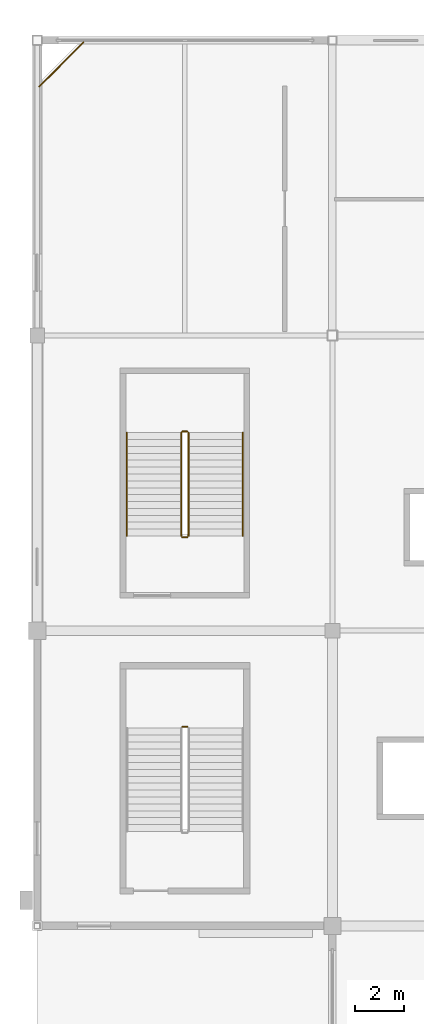
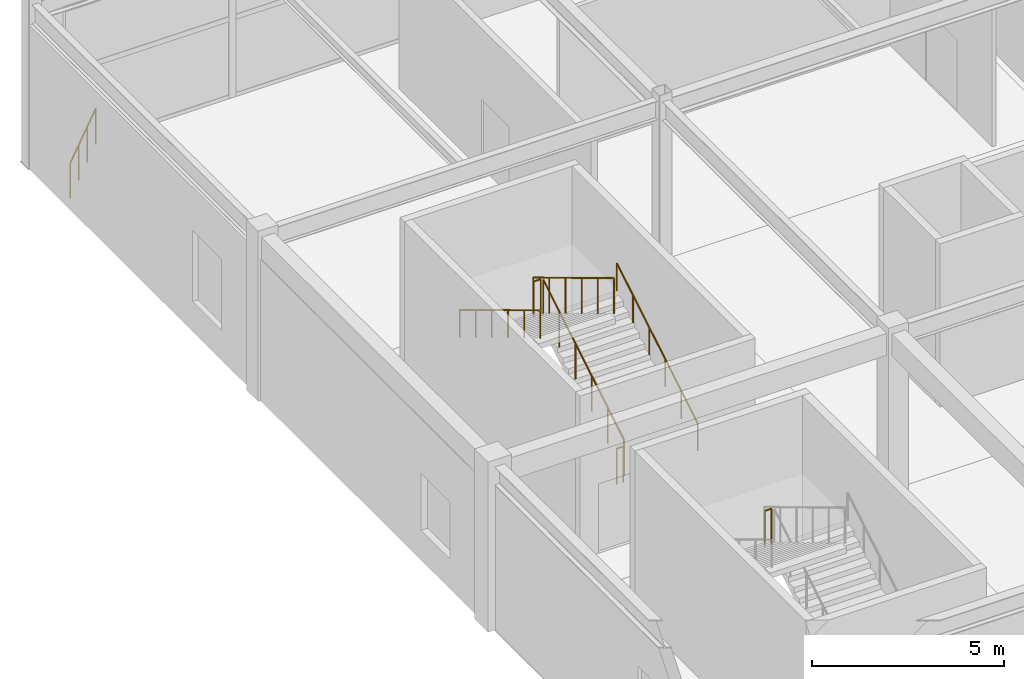
# One storey, part 100 of 105: 8 railings.
"""IFC4 building model written with IfcOpenShell, lengths in metres."""

from ifc_helpers import new_model, si_unit, direction, frame, origin, origin_2d, place, context, subcontext, project, spatial, circle, extrude, material, layer, layer_set, type_object, element, save


model = new_model("IFC4")

# Units and contexts
model_context = context("Model", 3, precision=1e-05, world=origin(), true_north=direction((0.0, 1.0)))
body_context = subcontext(model_context, "Body", "Model", "MODEL_VIEW")
ifc_project = project(units=[si_unit("LENGTHUNIT", "METRE"), si_unit("AREAUNIT", "SQUARE_METRE"), si_unit("VOLUMEUNIT", "CUBIC_METRE"), si_unit("PLANEANGLEUNIT", "RADIAN"), si_unit("MASSUNIT", "GRAM", prefix="KILO")], contexts=[model_context])

# Site, building, storey
site_placement = place(None, origin())
site = spatial("IfcSite", under=ifc_project, at=site_placement, CompositionType="ELEMENT")
building_placement = place(site_placement, origin())
building = spatial("IfcBuilding", under=site, at=building_placement, Name="Kazenohara Klinker Stadium", CompositionType="ELEMENT")
storey_placement = place(building_placement, frame((0.0, 0.0, 20.39990234375)))
storey = spatial("IfcBuildingStorey", under=building, at=storey_placement, Name="L04", CompositionType="ELEMENT", Elevation=20.39990234375)

# Railings
ifc_material_1 = material(Name="Galvanised powder-coated steel guardrail", Category="steel")
ifc_layer_1 = layer(ifc_material_1, 0.070068359375)
ifc_layer_set_1 = layer_set([ifc_layer_1], Name="Galvanised powder-coated steel guardrail")
railing_type_1 = type_object("IfcRailingType", Name="RL-GRD-1150", PredefinedType="GUARDRAIL", material=ifc_layer_set_1)
railing_1_placement = place(storey_placement, frame((1.8798828125, 167.919921875, 0.0)))
element("IfcRailing", 1, at=railing_1_placement, inside=storey, type_object=railing_type_1, Name="Corner chamfer slab-edge guardrail GR01-SLB-L04-00-13", PredefinedType="GUARDRAIL", context=body_context, shape_type="SweptSolid", body=[
    extrude(circle(Radius=0.02392578125, at=origin_2d()), frame((0.0, 0.0, 1.1259765625), z_axis=(-0.707106781187, -0.707106781187, 0.0), x_axis=(0.707106781187, -0.707106781187, 0.0)), (0.0, 0.0, 1.0), 2.54541015625),
    extrude(circle(Radius=0.02099609375, at=origin_2d()), origin(), (0.0, 0.0, 1.0), 1.101806640625),
    extrude(circle(Radius=0.02099609375, at=origin_2d()), frame((-0.599853515625, -0.599853515625, 0.0)), (0.0, 0.0, 1.0), 1.101806640625),
    extrude(circle(Radius=0.02099609375, at=origin_2d()), frame((-1.199951171875, -1.199951171875, 0.0)), (0.0, 0.0, 1.0), 1.101806640625),
    extrude(circle(Radius=0.02099609375, at=origin_2d()), frame((-1.7998046875, -1.7998046875, 0.0)), (0.0, 0.0, 1.0), 1.101806640625),
])
ifc_material_2 = material(Name="Brushed stainless steel 304 handrail", Category="steel")
ifc_layer_2 = layer(ifc_material_2, 0.050048828125)
ifc_layer_set_2 = layer_set([ifc_layer_2], Name="Brushed stainless steel 304 handrail")
railing_type_2 = type_object("IfcRailingType", Name="RL-HND-900", PredefinedType="HANDRAIL", material=ifc_layer_set_2)
railing_2_placement = place(storey_placement, frame((8.360107421875, 147.85009765625, 0.1689453125)))
element("IfcRailing", 2, at=railing_2_placement, inside=storey, type_object=railing_type_2, Name="L04 ST06 stair handrail 1", PredefinedType="HANDRAIL", context=body_context, shape_type="SweptSolid", body=[
    extrude(circle(Radius=0.02392578125, at=origin_2d()), frame((0.0, 0.0, 0.8759765625), z_axis=(0.0, 0.856476492594, 0.516186030065), x_axis=(-1.0, 0.0, 0.0)), (0.0, 0.0, 1.0), 4.90380859375),
    extrude(circle(Radius=0.02099609375, at=origin_2d()), origin(), (0.0, 0.0, 1.0), 0.851806640625),
    extrude(circle(Radius=0.02099609375, at=origin_2d()), frame((0.0, 0.840087890625, 0.50634765625)), (0.0, 0.0, 1.0), 0.851806640625),
    extrude(circle(Radius=0.02099609375, at=origin_2d()), frame((0.0, 1.679931640625, 1.012451171875)), (0.0, 0.0, 1.0), 0.851806640625),
    extrude(circle(Radius=0.02099609375, at=origin_2d()), frame((0.0, 2.52001953125, 1.518798828125)), (0.0, 0.0, 1.0), 0.851806640625),
    extrude(circle(Radius=0.02099609375, at=origin_2d()), frame((0.0, 3.35986328125, 2.02490234375)), (0.0, 0.0, 1.0), 0.851806640625),
    extrude(circle(Radius=0.02099609375, at=origin_2d()), frame((0.0, 4.199951171875, 2.53125)), (0.0, 0.0, 1.0), 0.851806640625),
])
railing_3_placement = place(storey_placement, frame((3.639892578125, 152.050048828125, 2.868896484375)))
element("IfcRailing", 3, at=railing_3_placement, inside=storey, type_object=railing_type_2, Name="L04 ST06 stair handrail 2", PredefinedType="HANDRAIL", context=body_context, shape_type="SweptSolid", body=[
    extrude(circle(Radius=0.02392578125, at=origin_2d()), frame((0.0, 0.0, 0.8759765625), z_axis=(0.0, -0.856476492594, 0.516186030065), x_axis=(1.0, 0.0, 0.0)), (0.0, 0.0, 1.0), 4.90380859375),
    extrude(circle(Radius=0.02099609375, at=origin_2d()), origin(), (0.0, 0.0, 1.0), 0.851806640625),
    extrude(circle(Radius=0.02099609375, at=origin_2d()), frame((0.0, -0.840087890625, 0.50634765625)), (0.0, 0.0, 1.0), 0.851806640625),
    extrude(circle(Radius=0.02099609375, at=origin_2d()), frame((0.0, -1.679931640625, 1.012451171875)), (0.0, 0.0, 1.0), 0.851806640625),
    extrude(circle(Radius=0.02099609375, at=origin_2d()), frame((0.0, -2.52001953125, 1.518798828125)), (0.0, 0.0, 1.0), 0.851806640625),
    extrude(circle(Radius=0.02099609375, at=origin_2d()), frame((0.0, -3.35986328125, 2.02490234375)), (0.0, 0.0, 1.0), 0.851806640625),
    extrude(circle(Radius=0.02099609375, at=origin_2d()), frame((0.0, -4.199951171875, 2.53125)), (0.0, 0.0, 1.0), 0.851806640625),
])
ifc_material_3 = material(Name="Painted steel stairwell guardrail", Category="steel")
ifc_layer_3 = layer(ifc_material_3, 0.06005859375)
ifc_layer_set_3 = layer_set([ifc_layer_3], Name="Painted steel stairwell guardrail")
railing_type_3 = type_object("IfcRailingType", Name="RL-STG-1120", PredefinedType="GUARDRAIL", material=ifc_layer_set_3)
railing_4_placement = place(storey_placement, frame((6.10009765625, 140.090087890625, 2.7001953125)))
element("IfcRailing", 4, at=railing_4_placement, inside=storey, type_object=railing_type_3, Name="L04 ST05 stair guard 2", PredefinedType="GUARDRAIL", context=body_context, shape_type="SweptSolid", body=[
    extrude(circle(Radius=0.02392578125, at=origin_2d()), frame((0.0, 0.0, 1.1259765625), z_axis=(-1.0, 0.0, 0.0), x_axis=(0.0, -1.0, 0.0)), (0.0, 0.0, 1.0), 0.2001953125),
    extrude(circle(Radius=0.02099609375, at=origin_2d()), origin(), (0.0, 0.0, 1.0), 1.101806640625),
    extrude(circle(Radius=0.02099609375, at=origin_2d()), frame((-0.2001953125, 0.0, 0.0)), (0.0, 0.0, 1.0), 1.101806640625),
])
railing_5_placement = place(storey_placement, frame((6.14990234375, 147.85009765625, 0.1689453125)))
element("IfcRailing", 5, at=railing_5_placement, inside=storey, type_object=railing_type_3, Name="L04 ST06 stair guard 1", PredefinedType="GUARDRAIL", context=body_context, shape_type="SweptSolid", body=[
    extrude(circle(Radius=0.02392578125, at=origin_2d()), frame((0.0, 0.0, 1.1259765625), z_axis=(0.0, 0.856476492594, 0.516186030065), x_axis=(-1.0, 0.0, 0.0)), (0.0, 0.0, 1.0), 4.90380859375),
    extrude(circle(Radius=0.02099609375, at=origin_2d()), origin(), (0.0, 0.0, 1.0), 1.101806640625),
    extrude(circle(Radius=0.02099609375, at=origin_2d()), frame((0.0, 0.840087890625, 0.50634765625)), (0.0, 0.0, 1.0), 1.101806640625),
    extrude(circle(Radius=0.02099609375, at=origin_2d()), frame((0.0, 1.679931640625, 1.012451171875)), (0.0, 0.0, 1.0), 1.101806640625),
    extrude(circle(Radius=0.02099609375, at=origin_2d()), frame((0.0, 2.52001953125, 1.518798828125)), (0.0, 0.0, 1.0), 1.101806640625),
    extrude(circle(Radius=0.02099609375, at=origin_2d()), frame((0.0, 3.35986328125, 2.02490234375)), (0.0, 0.0, 1.0), 1.101806640625),
    extrude(circle(Radius=0.02099609375, at=origin_2d()), frame((0.0, 4.199951171875, 2.53125)), (0.0, 0.0, 1.0), 1.101806640625),
])
railing_6_placement = place(storey_placement, frame((6.10009765625, 152.10009765625, 2.7001953125)))
element("IfcRailing", 6, at=railing_6_placement, inside=storey, type_object=railing_type_3, Name="L04 ST06 stair guard 2", PredefinedType="GUARDRAIL", context=body_context, shape_type="SweptSolid", body=[
    extrude(circle(Radius=0.02392578125, at=origin_2d()), frame((0.0, 0.0, 1.1259765625), z_axis=(-1.0, 0.0, 0.0), x_axis=(0.0, -1.0, 0.0)), (0.0, 0.0, 1.0), 0.2001953125),
    extrude(circle(Radius=0.02099609375, at=origin_2d()), origin(), (0.0, 0.0, 1.0), 1.101806640625),
    extrude(circle(Radius=0.02099609375, at=origin_2d()), frame((-0.2001953125, 0.0, 0.0)), (0.0, 0.0, 1.0), 1.101806640625),
])
railing_7_placement = place(storey_placement, frame((5.85009765625, 152.050048828125, 2.868896484375)))
element("IfcRailing", 7, at=railing_7_placement, inside=storey, type_object=railing_type_3, Name="L04 ST06 stair guard 3", PredefinedType="GUARDRAIL", context=body_context, shape_type="SweptSolid", body=[
    extrude(circle(Radius=0.02392578125, at=origin_2d()), frame((0.0, 0.0, 1.1259765625), z_axis=(0.0, -0.856476492594, 0.516186030065), x_axis=(1.0, 0.0, 0.0)), (0.0, 0.0, 1.0), 4.90380859375),
    extrude(circle(Radius=0.02099609375, at=origin_2d()), origin(), (0.0, 0.0, 1.0), 1.101806640625),
    extrude(circle(Radius=0.02099609375, at=origin_2d()), frame((0.0, -0.840087890625, 0.50634765625)), (0.0, 0.0, 1.0), 1.101806640625),
    extrude(circle(Radius=0.02099609375, at=origin_2d()), frame((0.0, -1.679931640625, 1.012451171875)), (0.0, 0.0, 1.0), 1.101806640625),
    extrude(circle(Radius=0.02099609375, at=origin_2d()), frame((0.0, -2.52001953125, 1.518798828125)), (0.0, 0.0, 1.0), 1.101806640625),
    extrude(circle(Radius=0.02099609375, at=origin_2d()), frame((0.0, -3.35986328125, 2.02490234375)), (0.0, 0.0, 1.0), 1.101806640625),
    extrude(circle(Radius=0.02099609375, at=origin_2d()), frame((0.0, -4.199951171875, 2.53125)), (0.0, 0.0, 1.0), 1.101806640625),
])
railing_8_placement = place(storey_placement, frame((6.10009765625, 147.800048828125, 0.0)))
element("IfcRailing", 8, at=railing_8_placement, inside=storey, type_object=railing_type_3, Name="L04 ST06 stair guard 4", PredefinedType="GUARDRAIL", context=body_context, shape_type="SweptSolid", body=[
    extrude(circle(Radius=0.02392578125, at=origin_2d()), frame((0.0, 0.0, 1.1259765625), z_axis=(-1.0, 0.0, 0.0), x_axis=(0.0, -1.0, 0.0)), (0.0, 0.0, 1.0), 0.2001953125),
    extrude(circle(Radius=0.02099609375, at=origin_2d()), origin(), (0.0, 0.0, 1.0), 1.101806640625),
    extrude(circle(Radius=0.02099609375, at=origin_2d()), frame((-0.2001953125, 0.0, 0.0)), (0.0, 0.0, 1.0), 1.101806640625),
])

save(model, "model.ifc")
